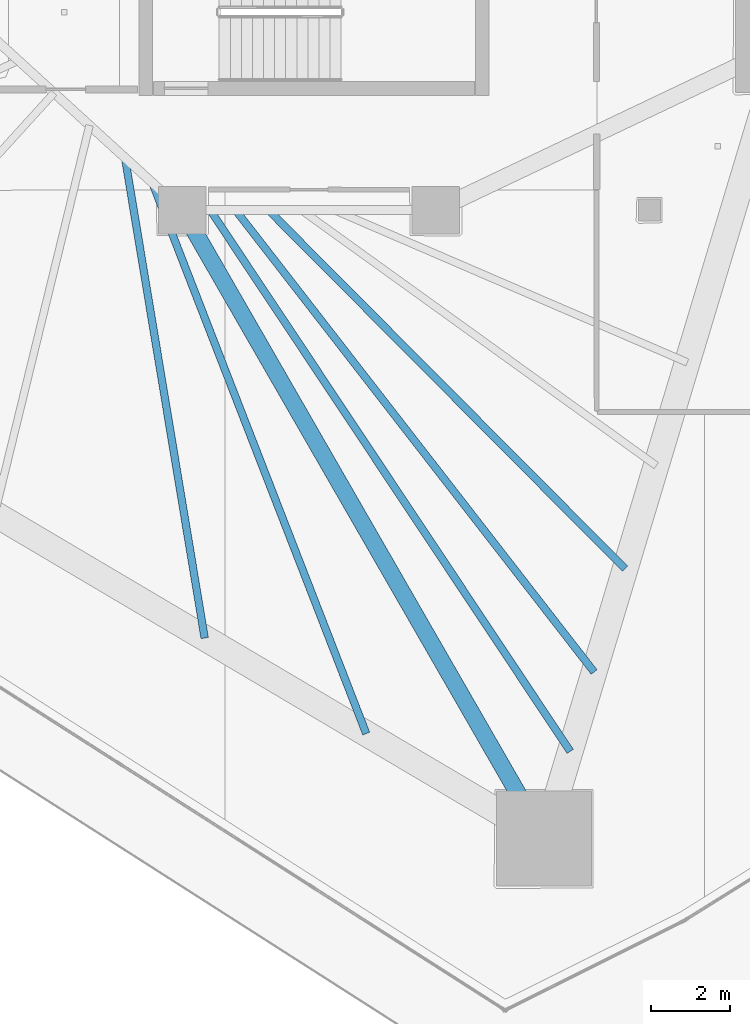
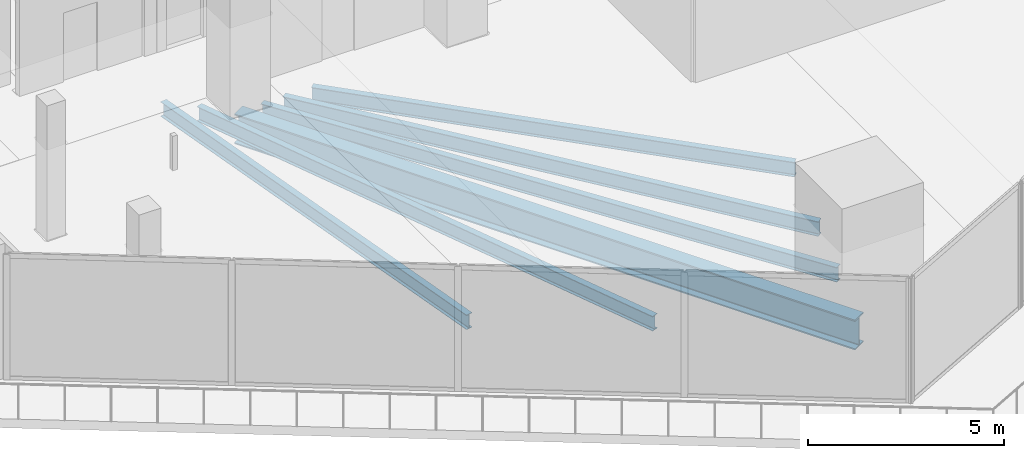
# One storey, part 8 of 45: 6 beams.
"""IFC4 building model written with IfcOpenShell, lengths in metres."""

from ifc_helpers import new_model, si_unit, direction, frame, origin, origin_2d, place, context, subcontext, project, spatial, i_section, extrude, material, material_profile, profile_set, type_object, element, save


model = new_model("IFC4")

# Units and contexts
model_context = context("Model", 3, precision=1e-05, world=origin(), true_north=direction((0.0, 1.0)))
body_context = subcontext(model_context, "Body", "Model", "MODEL_VIEW")
ifc_project = project(units=[si_unit("LENGTHUNIT", "METRE"), si_unit("AREAUNIT", "SQUARE_METRE"), si_unit("VOLUMEUNIT", "CUBIC_METRE"), si_unit("PLANEANGLEUNIT", "RADIAN"), si_unit("MASSUNIT", "GRAM", prefix="KILO")], contexts=[model_context])

# Site, building, storey
site_placement = place(None, origin())
site = spatial("IfcSite", under=ifc_project, at=site_placement, CompositionType="ELEMENT")
building_placement = place(site_placement, origin())
building = spatial("IfcBuilding", under=site, at=building_placement, Name="Qorvath Tower", CompositionType="ELEMENT")
storey_placement = place(building_placement, frame((0.0, 0.0, 95.39990234375)))
storey = spatial("IfcBuildingStorey", under=building, at=storey_placement, Name="L21", CompositionType="ELEMENT", Elevation=95.39990234375)

# Beams
ifc_material_1 = material(Name="Steel ASTM A992 Grade 50", Category="steel")
ifc_material_profile_1 = material_profile(ifc_material_1, i_section(OverallWidth=0.422119140625, OverallDepth=0.93310546875, WebThickness=0.021240234375, FlangeThickness=0.039794921875, FilletRadius=0.02392578125, at=origin_2d()), Name="W36x262")
ifc_profile_set_1 = profile_set([ifc_material_profile_1], Name="Steel ASTM A992 Grade 50")
beam_type_1 = type_object("IfcBeamType", Name="BM-FG1", PredefinedType="BEAM", material=ifc_profile_set_1)
beam_1_placement = place(storey_placement, frame((-23.60009765625, -11.449951171875, -0.746337890625), z_axis=(0.498645367714, -0.866806089767, 0.0), x_axis=(0.866806089767, 0.498645367714, 0.0)))
element("IfcBeam", 1, at=beam_1_placement, inside=storey, type_object=beam_type_1, Name="Radial Floor Girder CC4-MC3 L21", PredefinedType="BEAM", context=body_context, shape_type="SweptSolid", body=[
    extrude(i_section(OverallWidth=0.422119140625, OverallDepth=0.93310546875, WebThickness=0.021240234375, FlangeThickness=0.039794921875, FilletRadius=0.02392578125, at=origin_2d()), origin(), (0.0, 0.0, 1.0), 18.321044921875),
])
ifc_material_2 = material(Name="Steel ASTM A992 Grade 50", Category="steel")
ifc_material_profile_2 = material_profile(ifc_material_2, i_section(OverallWidth=0.18994140625, OverallDepth=0.45703125, WebThickness=0.009033203125, FlangeThickness=0.014404296875, FilletRadius=0.011962890625, at=origin_2d()), Name="W18x50")
ifc_profile_set_2 = profile_set([ifc_material_profile_2], Name="Steel ASTM A992 Grade 50")
beam_type_2 = type_object("IfcBeamType", Name="BM-FJ2", PredefinedType="JOIST", material=ifc_profile_set_2)
beam_2_placement = place(storey_placement, frame((-21.424072265625, -11.449951171875, -0.50830078125), z_axis=(0.705107654599, -0.709100271771, 0.0), x_axis=(0.709100271771, 0.705107654599, 0.0)))
element("IfcBeam", 2, at=beam_2_placement, inside=storey, type_object=beam_type_2, Name="Composite Floor Joist SE5 L21", PredefinedType="JOIST", context=body_context, shape_type="SweptSolid", body=[
    extrude(i_section(OverallWidth=0.18994140625, OverallDepth=0.45703125, WebThickness=0.009033203125, FlangeThickness=0.014404296875, FilletRadius=0.011962890625, at=origin_2d()), origin(), (0.0, 0.0, 1.0), 12.780029296875),
])
beam_3_placement = place(storey_placement, frame((-22.256103515625, -11.449951171875, -0.50830078125), z_axis=(0.613206963859, -0.789922286984, 0.0), x_axis=(0.789922286984, 0.613206963859, 0.0)))
element("IfcBeam", 3, at=beam_3_placement, inside=storey, type_object=beam_type_2, Name="Composite Floor Joist SE6 L21", PredefinedType="JOIST", context=body_context, shape_type="SweptSolid", body=[
    extrude(i_section(OverallWidth=0.18994140625, OverallDepth=0.45703125, WebThickness=0.009033203125, FlangeThickness=0.014404296875, FilletRadius=0.011962890625, at=origin_2d()), origin(), (0.0, 0.0, 1.0), 14.77294921875),
])
beam_4_placement = place(storey_placement, frame((-22.89599609375, -11.449951171875, -0.50830078125), z_axis=(0.553811384989, -0.83264214994, 0.0), x_axis=(0.83264214994, 0.553811384989, 0.0)))
element("IfcBeam", 4, at=beam_4_placement, inside=storey, type_object=beam_type_2, Name="Composite Floor Joist SE7 L21", PredefinedType="JOIST", context=body_context, shape_type="SweptSolid", body=[
    extrude(i_section(OverallWidth=0.18994140625, OverallDepth=0.45703125, WebThickness=0.009033203125, FlangeThickness=0.014404296875, FilletRadius=0.011962890625, at=origin_2d()), origin(), (0.0, 0.0, 1.0), 16.42333984375),
])
beam_5_placement = place(storey_placement, frame((-25.049072265625, -10.126953125, -0.50830078125), z_axis=(0.163639384475, -0.98652022374, 0.0), x_axis=(0.98652022374, 0.163639384475, 0.0)))
element("IfcBeam", 5, at=beam_5_placement, inside=storey, type_object=beam_type_2, Name="Composite Floor Joist SW6 L21", PredefinedType="JOIST", context=body_context, shape_type="SweptSolid", body=[
    extrude(i_section(OverallWidth=0.18994140625, OverallDepth=0.45703125, WebThickness=0.009033203125, FlangeThickness=0.014404296875, FilletRadius=0.011962890625, at=origin_2d()), origin(), (0.0, 0.0, 1.0), 12.301025390625),
])
beam_6_placement = place(storey_placement, frame((-24.35888671875, -10.757080078125, -0.50830078125), z_axis=(0.361964096586, -0.93219203643, 0.0), x_axis=(0.93219203643, 0.361964096586, 0.0)))
element("IfcBeam", 6, at=beam_6_placement, inside=storey, type_object=beam_type_2, Name="Composite Floor Joist SW7 L21", PredefinedType="JOIST", context=body_context, shape_type="SweptSolid", body=[
    extrude(i_section(OverallWidth=0.18994140625, OverallDepth=0.45703125, WebThickness=0.009033203125, FlangeThickness=0.014404296875, FilletRadius=0.011962890625, at=origin_2d()), origin(), (0.0, 0.0, 1.0), 14.93115234375),
])

save(model, "model.ifc")
